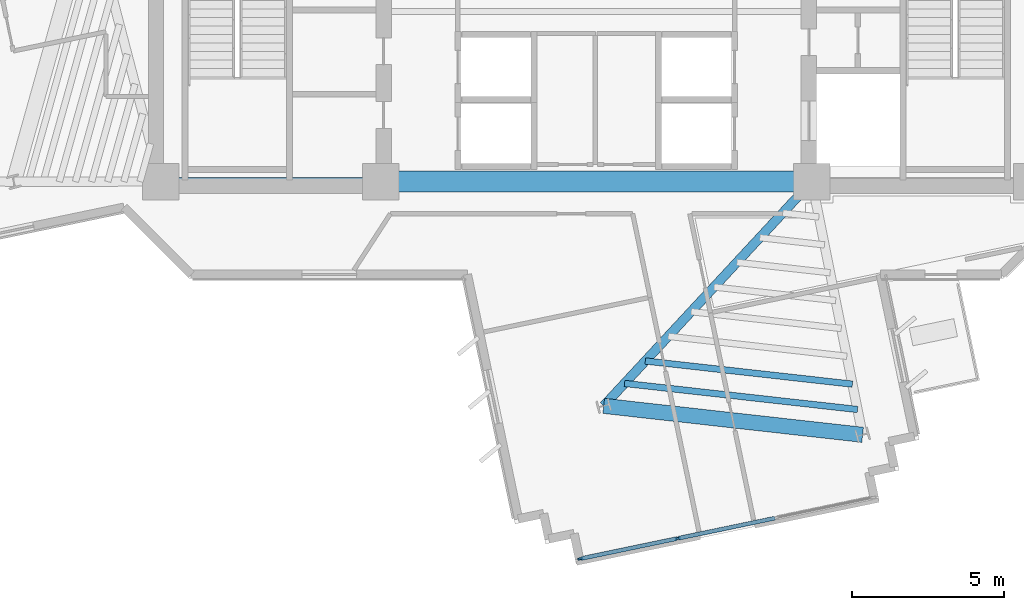
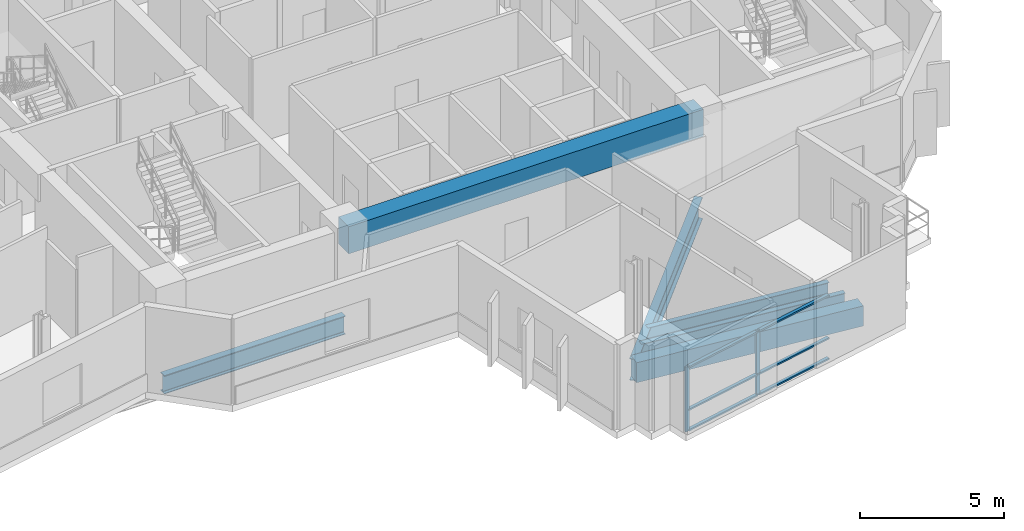
# One storey, part 2 of 14: 8 members, 6 beams, 1 element without a shape of its own.
"""IFC4 building model written with IfcOpenShell, lengths in metres."""

from ifc_helpers import new_model, si_unit, direction, frame, origin, origin_2d, place, context, subcontext, project, spatial, rectangle, i_section, extrude, source, transform, mapped, material, layer, layer_set, material_profile, profile_set, type_object, element, aggregate, save


model = new_model("IFC4")

# Units and contexts
model_context = context("Model", 3, precision=1e-05, world=origin(), true_north=direction((0.0, 1.0)))
body_context = subcontext(model_context, "Body", "Model", "MODEL_VIEW")
ifc_project = project(units=[si_unit("LENGTHUNIT", "METRE"), si_unit("AREAUNIT", "SQUARE_METRE"), si_unit("VOLUMEUNIT", "CUBIC_METRE"), si_unit("PLANEANGLEUNIT", "RADIAN"), si_unit("MASSUNIT", "GRAM", prefix="KILO")], contexts=[model_context])

# Site, building, storey
site_placement = place(None, origin())
site = spatial("IfcSite", under=ifc_project, at=site_placement, CompositionType="ELEMENT")
building_placement = place(site_placement, origin())
building = spatial("IfcBuilding", under=site, at=building_placement, Name="Zahravan Cultural Tower", CompositionType="ELEMENT")
storey_placement = place(building_placement, frame((0.0, 0.0, 162.89990234375)))
storey = spatial("IfcBuildingStorey", under=building, at=storey_placement, Name="L37", CompositionType="ELEMENT", Elevation=162.89990234375)

# Beams
ifc_material_1 = material(Name="Concrete C50/60", Category="concrete")
ifc_material_profile_1 = material_profile(ifc_material_1, rectangle(XDim=0.699951171875, YDim=1.14990234375, at=origin_2d()), Name="RC700X1150")
ifc_profile_set_1 = profile_set([ifc_material_profile_1], Name="Concrete C50/60")
beam_type_1 = type_object("IfcBeamType", Name="BM-LN-RC700X1150", PredefinedType="LINTEL", material=ifc_profile_set_1)
shared_shape_1 = source(origin(), body_context, "Body", "SweptSolid", [
    extrude(rectangle(XDim=0.699951171875, YDim=1.14990234375, at=origin_2d()), origin(), (0.0, 0.0, 1.0), 14.2001953125),
])
beam_1_placement = place(storey_placement, frame((28.89990234375, 17.800048828125, 3.045166015625), z_axis=(1.0, 0.0, 0.0), x_axis=(0.0, 1.0, 0.0)))
element("IfcBeam", 1, at=beam_1_placement, inside=storey, type_object=beam_type_1, Name="L37 Beam LN-L37-S", PredefinedType="LINTEL", context=body_context, shape_type="MappedRepresentation", body=[
    mapped(shared_shape_1, transform((0.0, 0.0, 0.0), x_axis=(1.0, 0.0, 0.0), y_axis=(0.0, 1.0, 0.0), z_axis=(0.0, 0.0, 1.0), scale=1.0)),
])
ifc_material_2 = material(Name="Steel ASTM A992 Grade 50", Category="steel")
ifc_material_profile_2 = material_profile(ifc_material_2, i_section(OverallWidth=0.26611328125, OverallDepth=0.780029296875, WebThickness=0.0166015625, FlangeThickness=0.030029296875, FilletRadius=0.01904296875, at=origin_2d()), Name="W30X148")
ifc_profile_set_2 = profile_set([ifc_material_profile_2], Name="Steel ASTM A992 Grade 50")
beam_type_2 = type_object("IfcBeamType", Name="BM-G-W30X148", PredefinedType="BEAM", material=ifc_profile_set_2)
shared_shape_2 = source(origin(), body_context, "Body", "SweptSolid", [
    extrude(i_section(OverallWidth=0.26611328125, OverallDepth=0.780029296875, WebThickness=0.0166015625, FlangeThickness=0.030029296875, FilletRadius=0.01904296875, at=origin_2d()), origin(), (0.0, 0.0, 1.0), 7.25),
])
beam_2_placement = place(storey_placement, frame((21.64990234375, 17.800048828125, -0.669921875), z_axis=(1.0, 0.0, 0.0), x_axis=(0.0, 1.0, 0.0)))
element("IfcBeam", 2, at=beam_2_placement, inside=storey, type_object=beam_type_2, Name="L37 Beam BG-L37-01", PredefinedType="BEAM", context=body_context, shape_type="MappedRepresentation", body=[
    mapped(shared_shape_2, transform((0.0, 0.0, 0.0), x_axis=(1.0, 0.0, 0.0), y_axis=(0.0, 1.0, 0.0), z_axis=(0.0, 0.0, 1.0), scale=1.0)),
])
ifc_material_profile_3 = material_profile(ifc_material_2, i_section(OverallWidth=0.304931640625, OverallDepth=0.9189453125, WebThickness=0.017333984375, FlangeThickness=0.02783203125, FilletRadius=0.02392578125, at=origin_2d()), Name="W36X170")
ifc_profile_set_3 = profile_set([ifc_material_profile_3], Name="Steel ASTM A992 Grade 50")
beam_type_3 = type_object("IfcBeamType", Name="BM-G-W36X170", PredefinedType="BEAM", material=ifc_profile_set_3)
shared_shape_3 = source(origin(), body_context, "Body", "SweptSolid", [
    extrude(i_section(OverallWidth=0.304931640625, OverallDepth=0.9189453125, WebThickness=0.017333984375, FlangeThickness=0.02783203125, FilletRadius=0.02392578125, at=origin_2d()), origin(), (0.0, 0.0, 1.0), 10.077880859375),
])
beam_3_placement = place(storey_placement, frame((43.10009765625, 17.800048828125, -0.739501953125), z_axis=(-0.680170435587, -0.733054007938, 0.0), x_axis=(0.733054007938, -0.680170435587, 0.0)))
element("IfcBeam", 3, at=beam_3_placement, inside=storey, type_object=beam_type_3, Name="L37 Beam BG-L37-09", PredefinedType="BEAM", context=body_context, shape_type="MappedRepresentation", body=[
    mapped(shared_shape_3, transform((0.0, 0.0, 0.0), x_axis=(1.0, 0.0, 0.0), y_axis=(0.0, 1.0, 0.0), z_axis=(0.0, 0.0, 1.0), scale=1.0)),
])
ifc_material_profile_4 = material_profile(ifc_material_1, rectangle(XDim=0.5, YDim=0.85009765625, at=origin_2d()), Name="RC500X850")
ifc_profile_set_4 = profile_set([ifc_material_profile_4], Name="Concrete C50/60")
beam_type_4 = type_object("IfcBeamType", Name="BM-SP-RC500X850", PredefinedType="SPANDREL", material=ifc_profile_set_4)
shared_shape_4 = source(origin(), body_context, "Body", "SweptSolid", [
    extrude(rectangle(XDim=0.5, YDim=0.85009765625, at=origin_2d()), origin(), (0.0, 0.0, 1.0), 8.579833984375),
])
beam_4_placement = place(storey_placement, frame((36.245361328125, 10.412353515625, -0.704833984375), z_axis=(0.9938040105, -0.11114669907, 0.0), x_axis=(0.11114669907, 0.9938040105, 0.0)))
element("IfcBeam", 4, at=beam_4_placement, inside=storey, type_object=beam_type_4, Name="L37 Beam SP-L37-20", PredefinedType="SPANDREL", context=body_context, shape_type="MappedRepresentation", body=[
    mapped(shared_shape_4, transform((0.0, 0.0, 0.0), x_axis=(1.0, 0.0, 0.0), y_axis=(0.0, 1.0, 0.0), z_axis=(0.0, 0.0, 1.0), scale=1.0)),
])
ifc_material_profile_5 = material_profile(ifc_material_2, i_section(OverallWidth=0.2099609375, OverallDepth=0.532958984375, WebThickness=0.01025390625, FlangeThickness=0.015625, FilletRadius=0.013916015625, at=origin_2d()), Name="W21X62")
ifc_profile_set_5 = profile_set([ifc_material_profile_5], Name="Steel ASTM A992 Grade 50")
beam_type_5 = type_object("IfcBeamType", Name="BM-J-W21X62", PredefinedType="JOIST", material=ifc_profile_set_5)
shared_shape_5 = source(origin(), body_context, "Body", "SweptSolid", [
    extrude(i_section(OverallWidth=0.2099609375, OverallDepth=0.532958984375, WebThickness=0.01025390625, FlangeThickness=0.015625, FilletRadius=0.013916015625, at=origin_2d()), origin(), (0.0, 0.0, 1.0), 6.86376953125),
])
beam_5_placement = place(storey_placement, frame((37.6162109375, 11.889892578125, -0.54638671875), z_axis=(0.993803224695, -0.111153725024, 0.0), x_axis=(0.111153725024, 0.993803224695, 0.0)))
element("IfcBeam", 5, at=beam_5_placement, inside=storey, type_object=beam_type_5, Name="L37 Beam BJ-L37-40", PredefinedType="JOIST", context=body_context, shape_type="MappedRepresentation", body=[
    mapped(shared_shape_5, transform((0.0, 0.0, 0.0), x_axis=(1.0, 0.0, 0.0), y_axis=(0.0, 1.0, 0.0), z_axis=(0.0, 0.0, 1.0), scale=1.0)),
])
shared_shape_6 = source(origin(), body_context, "Body", "SweptSolid", [
    extrude(i_section(OverallWidth=0.2099609375, OverallDepth=0.532958984375, WebThickness=0.01025390625, FlangeThickness=0.015625, FilletRadius=0.013916015625, at=origin_2d()), origin(), (0.0, 0.0, 1.0), 7.7216796875),
])
beam_6_placement = place(storey_placement, frame((36.930908203125, 11.151123046875, -0.54638671875), z_axis=(0.993805212115, -0.11113595446, 0.0), x_axis=(0.11113595446, 0.993805212115, 0.0)))
element("IfcBeam", 6, at=beam_6_placement, inside=storey, type_object=beam_type_5, Name="L37 Beam BJ-L37-41", PredefinedType="JOIST", context=body_context, shape_type="MappedRepresentation", body=[
    mapped(shared_shape_6, transform((0.0, 0.0, 0.0), x_axis=(1.0, 0.0, 0.0), y_axis=(0.0, 1.0, 0.0), z_axis=(0.0, 0.0, 1.0), scale=1.0)),
])

# Curtain wall, members
ifc_material_3 = material(Name="Anodised bronze-aluminium mullion", Category="aluminium")
ifc_layer = layer(ifc_material_3, 0.1650390625)
ifc_layer_set = layer_set([ifc_layer], Name="Anodised bronze-aluminium mullion")
curtain_wall_type = type_object("IfcCurtainWallType", Name="CW-SYS-4", PredefinedType="USERDEFINED", material=ifc_layer_set)
curtain_wall_placement = place(storey_placement, origin())
curtain_wall = element("IfcCurtainWall", 7, at=curtain_wall_placement, inside=storey, type_object=curtain_wall_type, Name="L37 Recessed Curtain Wall CW-4.1", ObjectType="RECESSED GLAZING", PredefinedType="USERDEFINED")
ifc_material_profile_6 = material_profile(ifc_material_3, rectangle(XDim=0.06494140625, YDim=0.1650390625, at=origin_2d()), Name="AL-M65X165")
ifc_profile_set_6 = profile_set([ifc_material_profile_6], Name="Anodised bronze-aluminium mullion")
member_type_1 = type_object("IfcMemberType", Name="CWM-CW-4", PredefinedType="MULLION", material=ifc_profile_set_6)
shared_shape_7 = source(origin(), body_context, "Body", "SweptSolid", [
    extrude(rectangle(XDim=0.06494140625, YDim=0.1650390625, at=origin_2d()), origin(), (0.0, 0.0, 1.0), 2.739990234375),
])
member_1_placement = place(storey_placement, frame((38.68115234375, 6.0458984375, 0.0), z_axis=(0.0, 0.0, 1.0), x_axis=(0.204162369415, -0.978937039301, 0.0)))
member_1 = element("IfcMember", 8, at=member_1_placement, type_object=member_type_1, Name="CW-4 mullion 3", PredefinedType="MULLION", context=body_context, shape_type="MappedRepresentation", body=[
    mapped(shared_shape_7, transform((0.0, 0.0, 0.0), x_axis=(1.0, 0.0, 0.0), y_axis=(0.0, 1.0, 0.0), z_axis=(0.0, 0.0, 1.0), scale=1.0)),
])
member_2_placement = place(storey_placement, frame((35.475830078125, 5.37744140625, 0.0), z_axis=(0.0, 0.0, 1.0), x_axis=(0.204162369415, -0.978937039301, 0.0)))
member_2 = element("IfcMember", 9, at=member_2_placement, type_object=member_type_1, Name="CW-4 mullion 4", PredefinedType="MULLION", context=body_context, shape_type="MappedRepresentation", body=[
    mapped(shared_shape_7, transform((0.0, 0.0, 0.0), x_axis=(1.0, 0.0, 0.0), y_axis=(0.0, 1.0, 0.0), z_axis=(0.0, 0.0, 1.0), scale=1.0)),
])
ifc_material_profile_7 = material_profile(ifc_material_3, rectangle(XDim=0.1298828125, YDim=0.06494140625, at=origin_2d()), Name="AL-T65X130")
ifc_profile_set_7 = profile_set([ifc_material_profile_7], Name="Anodised bronze-aluminium mullion")
member_type_2 = type_object("IfcMemberType", Name="CWT-CW-4", PredefinedType="USERDEFINED", material=ifc_profile_set_7)
shared_shape_8 = source(origin(), body_context, "Body", "SweptSolid", [
    extrude(rectangle(XDim=0.1298828125, YDim=0.06494140625, at=origin_2d()), origin(), (0.0, 0.0, 1.0), 3.209228515625),
])
member_3_placement = place(storey_placement, frame((38.649169921875, 6.039306640625, 0.03271484375), z_axis=(-0.978947495526, -0.204112226492, 0.0), x_axis=(0.204112226492, -0.978947495526, 0.0)))
member_3 = element("IfcMember", 10, at=member_3_placement, type_object=member_type_2, Name="CW-4 transom 3.1", ObjectType="TRANSOM", PredefinedType="USERDEFINED", context=body_context, shape_type="MappedRepresentation", body=[
    mapped(shared_shape_8, transform((0.0, 0.0, 0.0), x_axis=(1.0, 0.0, 0.0), y_axis=(0.0, 1.0, 0.0), z_axis=(0.0, 0.0, 1.0), scale=1.0)),
])
member_4_placement = place(storey_placement, frame((38.649169921875, 6.039306640625, 0.900146484375), z_axis=(-0.978947495526, -0.204112226492, 0.0), x_axis=(0.204112226492, -0.978947495526, 0.0)))
member_4 = element("IfcMember", 11, at=member_4_placement, type_object=member_type_2, Name="CW-4 transom 3.2", ObjectType="TRANSOM", PredefinedType="USERDEFINED", context=body_context, shape_type="MappedRepresentation", body=[
    mapped(shared_shape_8, transform((0.0, 0.0, 0.0), x_axis=(1.0, 0.0, 0.0), y_axis=(0.0, 1.0, 0.0), z_axis=(0.0, 0.0, 1.0), scale=1.0)),
])
member_5_placement = place(storey_placement, frame((38.649169921875, 6.039306640625, 2.70751953125), z_axis=(-0.978947495526, -0.204112226492, 0.0), x_axis=(0.204112226492, -0.978947495526, 0.0)))
member_5 = element("IfcMember", 12, at=member_5_placement, type_object=member_type_2, Name="CW-4 transom 3.3", ObjectType="TRANSOM", PredefinedType="USERDEFINED", context=body_context, shape_type="MappedRepresentation", body=[
    mapped(shared_shape_8, transform((0.0, 0.0, 0.0), x_axis=(1.0, 0.0, 0.0), y_axis=(0.0, 1.0, 0.0), z_axis=(0.0, 0.0, 1.0), scale=1.0)),
])
shared_shape_9 = source(origin(), body_context, "Body", "SweptSolid", [
    extrude(rectangle(XDim=0.1298828125, YDim=0.06494140625, at=origin_2d()), origin(), (0.0, 0.0, 1.0), 3.24169921875),
])
member_6_placement = place(storey_placement, frame((41.88623046875, 6.71435546875, 0.03271484375), z_axis=(-0.978949079002, -0.204104631797, 0.0), x_axis=(0.204104631797, -0.978949079002, 0.0)))
member_6 = element("IfcMember", 13, at=member_6_placement, type_object=member_type_2, Name="CW-4 transom 2.1", ObjectType="TRANSOM", PredefinedType="USERDEFINED", context=body_context, shape_type="MappedRepresentation", body=[
    mapped(shared_shape_9, transform((0.0, 0.0, 0.0), x_axis=(1.0, 0.0, 0.0), y_axis=(0.0, 1.0, 0.0), z_axis=(0.0, 0.0, 1.0), scale=1.0)),
])
member_7_placement = place(storey_placement, frame((41.88623046875, 6.71435546875, 0.900146484375), z_axis=(-0.978949079002, -0.204104631797, 0.0), x_axis=(0.204104631797, -0.978949079002, 0.0)))
member_7 = element("IfcMember", 14, at=member_7_placement, type_object=member_type_2, Name="CW-4 transom 2.2", ObjectType="TRANSOM", PredefinedType="USERDEFINED", context=body_context, shape_type="MappedRepresentation", body=[
    mapped(shared_shape_9, transform((0.0, 0.0, 0.0), x_axis=(1.0, 0.0, 0.0), y_axis=(0.0, 1.0, 0.0), z_axis=(0.0, 0.0, 1.0), scale=1.0)),
])
member_8_placement = place(storey_placement, frame((41.88623046875, 6.71435546875, 2.70751953125), z_axis=(-0.978949079002, -0.204104631797, 0.0), x_axis=(0.204104631797, -0.978949079002, 0.0)))
member_8 = element("IfcMember", 15, at=member_8_placement, type_object=member_type_2, Name="CW-4 transom 2.3", ObjectType="TRANSOM", PredefinedType="USERDEFINED", context=body_context, shape_type="MappedRepresentation", body=[
    mapped(shared_shape_9, transform((0.0, 0.0, 0.0), x_axis=(1.0, 0.0, 0.0), y_axis=(0.0, 1.0, 0.0), z_axis=(0.0, 0.0, 1.0), scale=1.0)),
])
aggregate(curtain_wall, [member_1, member_2, member_6, member_7, member_8, member_3, member_4, member_5])

save(model, "model.ifc")
